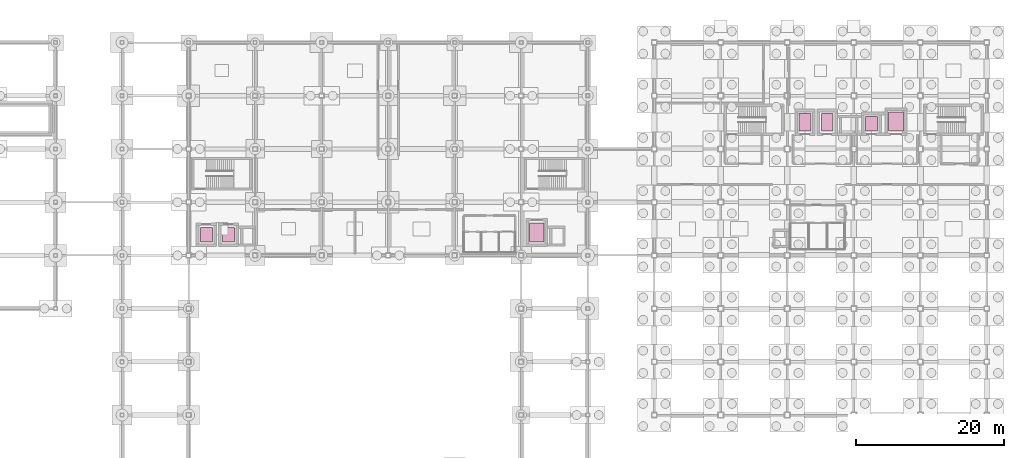
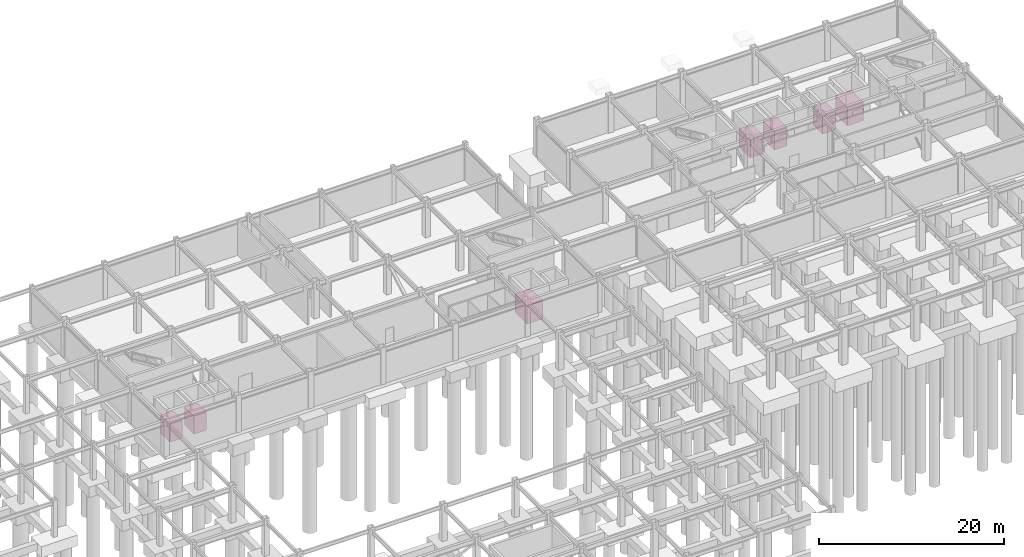
# One storey, part 28 of 28: 7 transport elements.
"""IFC4 building model written with IfcOpenShell, lengths in metres."""

from ifc_helpers import new_model, si_unit, direction, frame, origin, origin_2d, place, context, subcontext, project, spatial, rectangle, extrude, material, type_object, element, save


model = new_model("IFC4")

# Units and contexts
model_context = context("Model", 3, precision=1e-05, world=origin(), true_north=direction((0.0, 1.0)))
body_context = subcontext(model_context, "Body", "Model", "MODEL_VIEW")
ifc_project = project(units=[si_unit("LENGTHUNIT", "METRE"), si_unit("AREAUNIT", "SQUARE_METRE"), si_unit("VOLUMEUNIT", "CUBIC_METRE"), si_unit("PLANEANGLEUNIT", "RADIAN"), si_unit("MASSUNIT", "GRAM", prefix="KILO")], contexts=[model_context])

# Site, building, storey
site_placement = place(None, origin())
site = spatial("IfcSite", under=ifc_project, at=site_placement, CompositionType="ELEMENT")
building_placement = place(site_placement, origin())
building = spatial("IfcBuilding", under=site, at=building_placement, Name="Kazanami Central Library", CompositionType="ELEMENT")
storey_placement = place(building_placement, frame((0.0, 0.0, -4.89990234375)))
storey = spatial("IfcBuildingStorey", under=building, at=storey_placement, Name="B01", CompositionType="ELEMENT", Elevation=-4.89990234375)

# Transport elements
ifc_material = material(Name="Stainless Steel SUS304", Category="steel")
transport_element_type_1 = type_object("IfcTransportElementType", Name="LFT-FF", PredefinedType="ELEVATOR", material=ifc_material)
for number, where, z_axis, x_axis, name in (
    (1, (137.39990234375, 82.800048828125, 0.0), (0.0, 0.0, 1.0), (1.0, 0.0, 0.0), "Emergency Elevator EL-F1"),
    (2, (140.39990234375, 82.800048828125, 0.0), (0.0, 0.0, 1.0), (1.0, 0.0, 0.0), "Emergency Elevator EL-F2"),
):
    element("IfcTransportElement", number, at=place(storey_placement, frame(where, z_axis=z_axis, x_axis=x_axis)), inside=storey, type_object=transport_element_type_1, Name=name, PredefinedType="ELEVATOR", context=body_context, shape_type="SweptSolid", body=[
        extrude(rectangle(XDim=1.60009765625, YDim=2.39990234375, at=origin_2d()), origin(), (0.0, 0.0, 1.0), 2.39990234375),
    ])
transport_element_type_2 = type_object("IfcTransportElementType", Name="LFT-PT", PredefinedType="ELEVATOR", material=ifc_material)
for number, where, z_axis, x_axis, name in (
    (3, (146.39990234375, 82.60009765625, 0.0), (0.0, 0.0, 1.0), (1.0, 0.0, 0.0), "Elevator EL-P1"),
    (4, (56.39990234375, 67.60009765625, 0.0), (0.0, 0.0, 1.0), (1.0, 0.0, 0.0), "Elevator EL-P2"),
    (5, (59.39990234375, 67.60009765625, 0.0), (0.0, 0.0, 1.0), (1.0, 0.0, 0.0), "Elevator EL-P3"),
):
    element("IfcTransportElement", number, at=place(storey_placement, frame(where, z_axis=z_axis, x_axis=x_axis)), inside=storey, type_object=transport_element_type_2, Name=name, PredefinedType="ELEVATOR", context=body_context, shape_type="SweptSolid", body=[
        extrude(rectangle(XDim=1.60009765625, YDim=2.0, at=origin_2d()), origin(), (0.0, 0.0, 1.0), 2.39990234375),
    ])
transport_element_type_3 = type_object("IfcTransportElementType", Name="LFT-SV", PredefinedType="ELEVATOR", material=ifc_material)
for number, where, z_axis, x_axis, name in (
    (6, (149.699951171875, 82.89990234375, 0.0), (0.0, 0.0, 1.0), (1.0, 0.0, 0.0), "Goods Elevator EL-S1"),
    (7, (101.10009765625, 67.89990234375, 0.0), (0.0, 0.0, 1.0), (1.0, 0.0, 0.0), "Goods Elevator EL-S2"),
):
    element("IfcTransportElement", number, at=place(storey_placement, frame(where, z_axis=z_axis, x_axis=x_axis)), inside=storey, type_object=transport_element_type_3, Name=name, PredefinedType="ELEVATOR", context=body_context, shape_type="SweptSolid", body=[
        extrude(rectangle(XDim=2.0, YDim=2.60009765625, at=origin_2d()), origin(), (0.0, 0.0, 1.0), 2.39990234375),
    ])

save(model, "model.ifc")
